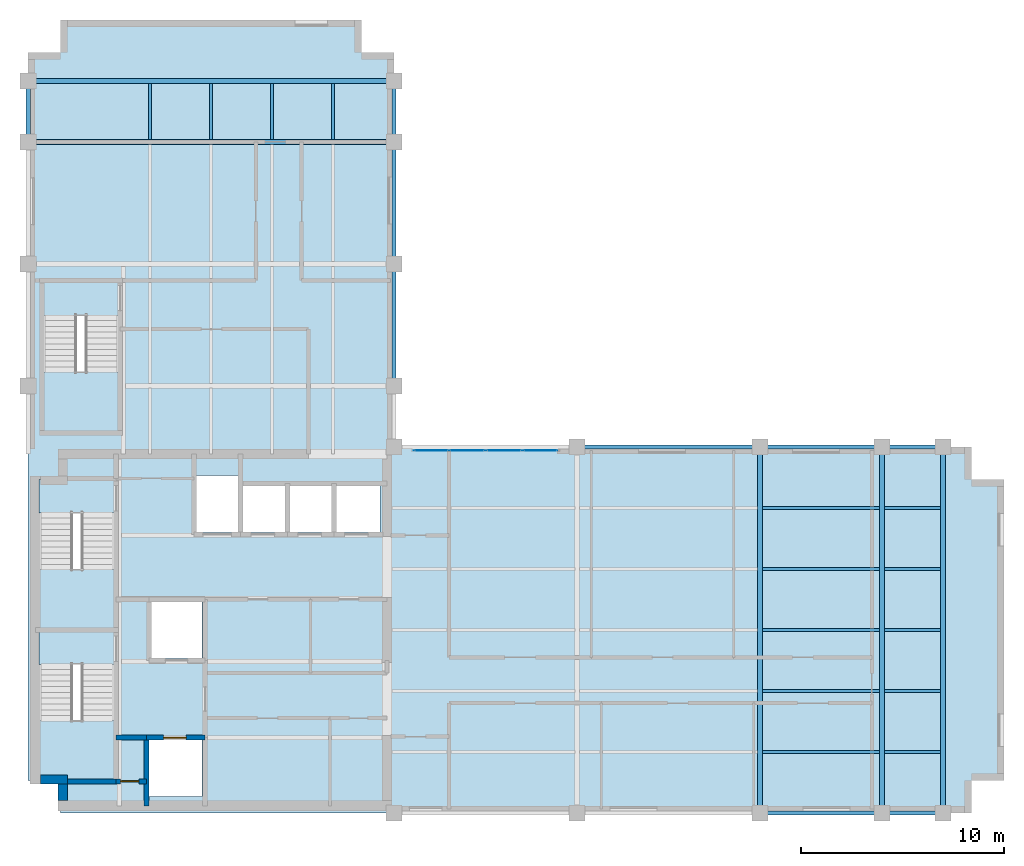
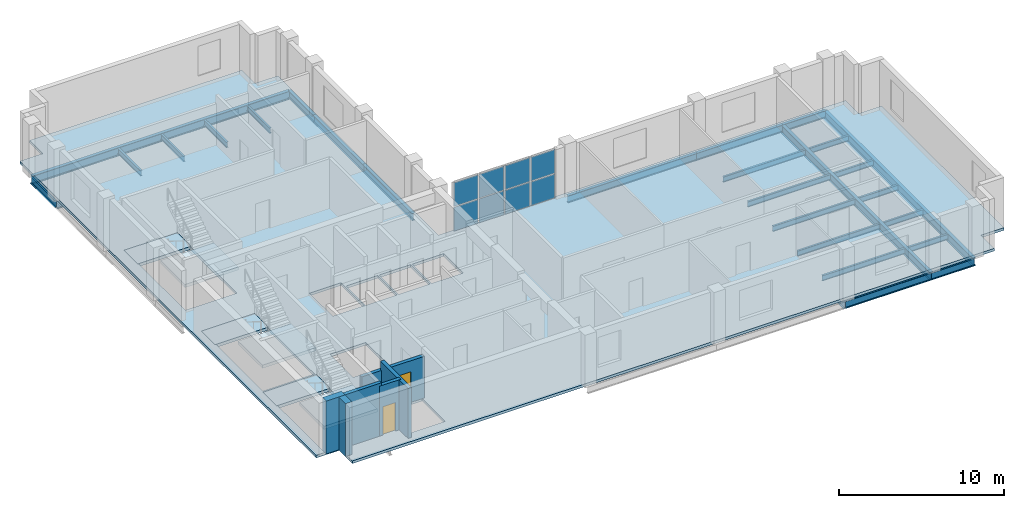
# One storey, part 3 of 7: 28 beams, 8 plates, 7 slabs, 7 walls, 2 doors, 2 openings, 4 elements without a shape of their own.
"""IFC4 building model written with IfcOpenShell, lengths in metres."""

from ifc_helpers import new_model, si_unit, direction, frame, frame_2d, origin, origin_2d, place, context, subcontext, project, spatial, polyline, rectangle, i_section, outline, extrude, material, layer, layer_set, material_profile, profile_set, type_object, element, fill, aggregate, save


model = new_model("IFC4")

# Units and contexts
model_context = context("Model", 3, precision=1e-05, world=origin(), true_north=direction((0.0, 1.0)))
body_context = subcontext(model_context, "Body", "Model", "MODEL_VIEW")
ifc_project = project(units=[si_unit("LENGTHUNIT", "METRE"), si_unit("AREAUNIT", "SQUARE_METRE"), si_unit("VOLUMEUNIT", "CUBIC_METRE"), si_unit("PLANEANGLEUNIT", "RADIAN"), si_unit("MASSUNIT", "GRAM", prefix="KILO")], contexts=[model_context])

# Site, building, storey
site_placement = place(None, origin())
site = spatial("IfcSite", under=ifc_project, at=site_placement, CompositionType="ELEMENT")
building_placement = place(site_placement, origin())
building = spatial("IfcBuilding", under=site, at=building_placement, Name="Mawjdan Bourse Tower", CompositionType="ELEMENT")
storey_placement = place(building_placement, frame((0.0, 0.0, 235.199951171875)))
storey = spatial("IfcBuildingStorey", under=building, at=storey_placement, Name="L57", CompositionType="ELEMENT", Elevation=235.199951171875)

# Beams
ifc_material_1 = material(Name="Structural Steel S355", Category="steel")
ifc_material_profile_1 = material_profile(ifc_material_1, i_section(OverallWidth=0.22998046875, OverallDepth=0.616943359375, WebThickness=0.01318359375, FlangeThickness=0.022216796875, FilletRadius=0.017822265625, at=origin_2d()), Name="W24X94")
ifc_profile_set_1 = profile_set([ifc_material_profile_1], Name="Structural Steel S355")
beam_type_1 = type_object("IfcBeamType", Name="GRD-W24X94", PredefinedType="BEAM", material=ifc_profile_set_1)
for number, where, z_axis, x_axis, name in (
    (1, (42.0, 3.0, -0.508544921875), (0.0, 1.0, 0.0), (-1.0, 0.0, 0.0), "L57 East Wing Clear-Span Girder 003"),
    (2, (48.0, 3.0, -0.508544921875), (0.0, 1.0, 0.0), (-1.0, 0.0, 0.0), "L57 East Wing Clear-Span Girder 004"),
    (3, (51.0, 3.0, -0.508544921875), (0.0, 1.0, 0.0), (-1.0, 0.0, 0.0), "L57 East Wing Clear-Span Girder 005"),
    (4, (6.0, 36.0, -0.508544921875), (1.0, 0.0, 0.0), (0.0, 1.0, 0.0), "L57 North Wing Clear-Span Girder 041"),
    (5, (6.0, 39.0, -0.508544921875), (1.0, 0.0, 0.0), (0.0, 1.0, 0.0), "L57 North Wing Clear-Span Girder 042"),
):
    element("IfcBeam", number, at=place(storey_placement, frame(where, z_axis=z_axis, x_axis=x_axis)), inside=storey, type_object=beam_type_1, Name=name, PredefinedType="BEAM", context=body_context, shape_type="SweptSolid", body=[
        extrude(i_section(OverallWidth=0.22998046875, OverallDepth=0.616943359375, WebThickness=0.01318359375, FlangeThickness=0.022216796875, FilletRadius=0.017822265625, at=origin_2d()), origin(), (0.0, 0.0, 1.0), 18.0),
    ])
ifc_material_profile_2 = material_profile(ifc_material_1, i_section(OverallWidth=0.139892578125, OverallDepth=0.404052734375, WebThickness=0.007080078125, FlangeThickness=0.01123046875, FilletRadius=0.009033203125, at=origin_2d()), Name="W16X31")
ifc_profile_set_2 = profile_set([ifc_material_profile_2], Name="Structural Steel S355")
beam_type_2 = type_object("IfcBeamType", Name="JST-W16X31", PredefinedType="JOIST", material=ifc_profile_set_2)
beam_1_placement = place(storey_placement, frame((42.113037109375, 6.0, -0.40185546875), z_axis=(1.0, 0.0, 0.0), x_axis=(0.0, 1.0, 0.0)))
element("IfcBeam", 6, at=beam_1_placement, inside=storey, type_object=beam_type_2, Name="L57 East Wing Composite Joist 016", PredefinedType="JOIST", context=body_context, shape_type="SweptSolid", body=[
    extrude(i_section(OverallWidth=0.139892578125, OverallDepth=0.404052734375, WebThickness=0.007080078125, FlangeThickness=0.01123046875, FilletRadius=0.009033203125, at=origin_2d()), origin(), (0.0, 0.0, 1.0), 5.77392578125),
])
beam_2_placement = place(storey_placement, frame((48.113037109375, 6.0, -0.40185546875), z_axis=(1.0, 0.0, 0.0), x_axis=(0.0, 1.0, 0.0)))
element("IfcBeam", 7, at=beam_2_placement, inside=storey, type_object=beam_type_2, Name="L57 East Wing Composite Joist 017", PredefinedType="JOIST", context=body_context, shape_type="SweptSolid", body=[
    extrude(i_section(OverallWidth=0.139892578125, OverallDepth=0.404052734375, WebThickness=0.007080078125, FlangeThickness=0.01123046875, FilletRadius=0.009033203125, at=origin_2d()), origin(), (0.0, 0.0, 1.0), 2.77392578125),
])
beam_3_placement = place(storey_placement, frame((42.113037109375, 9.0, -0.40185546875), z_axis=(1.0, 0.0, 0.0), x_axis=(0.0, 1.0, 0.0)))
element("IfcBeam", 8, at=beam_3_placement, inside=storey, type_object=beam_type_2, Name="L57 East Wing Composite Joist 020", PredefinedType="JOIST", context=body_context, shape_type="SweptSolid", body=[
    extrude(i_section(OverallWidth=0.139892578125, OverallDepth=0.404052734375, WebThickness=0.007080078125, FlangeThickness=0.01123046875, FilletRadius=0.009033203125, at=origin_2d()), origin(), (0.0, 0.0, 1.0), 5.77392578125),
])
beam_4_placement = place(storey_placement, frame((48.113037109375, 9.0, -0.40185546875), z_axis=(1.0, 0.0, 0.0), x_axis=(0.0, 1.0, 0.0)))
element("IfcBeam", 9, at=beam_4_placement, inside=storey, type_object=beam_type_2, Name="L57 East Wing Composite Joist 021", PredefinedType="JOIST", context=body_context, shape_type="SweptSolid", body=[
    extrude(i_section(OverallWidth=0.139892578125, OverallDepth=0.404052734375, WebThickness=0.007080078125, FlangeThickness=0.01123046875, FilletRadius=0.009033203125, at=origin_2d()), origin(), (0.0, 0.0, 1.0), 2.77392578125),
])
beam_5_placement = place(storey_placement, frame((42.113037109375, 12.0, -0.40185546875), z_axis=(1.0, 0.0, 0.0), x_axis=(0.0, 1.0, 0.0)))
element("IfcBeam", 10, at=beam_5_placement, inside=storey, type_object=beam_type_2, Name="L57 East Wing Composite Joist 024", PredefinedType="JOIST", context=body_context, shape_type="SweptSolid", body=[
    extrude(i_section(OverallWidth=0.139892578125, OverallDepth=0.404052734375, WebThickness=0.007080078125, FlangeThickness=0.01123046875, FilletRadius=0.009033203125, at=origin_2d()), origin(), (0.0, 0.0, 1.0), 5.77392578125),
])
beam_6_placement = place(storey_placement, frame((48.113037109375, 12.0, -0.40185546875), z_axis=(1.0, 0.0, 0.0), x_axis=(0.0, 1.0, 0.0)))
element("IfcBeam", 11, at=beam_6_placement, inside=storey, type_object=beam_type_2, Name="L57 East Wing Composite Joist 025", PredefinedType="JOIST", context=body_context, shape_type="SweptSolid", body=[
    extrude(i_section(OverallWidth=0.139892578125, OverallDepth=0.404052734375, WebThickness=0.007080078125, FlangeThickness=0.01123046875, FilletRadius=0.009033203125, at=origin_2d()), origin(), (0.0, 0.0, 1.0), 2.77392578125),
])
beam_7_placement = place(storey_placement, frame((42.113037109375, 15.0, -0.40185546875), z_axis=(1.0, 0.0, 0.0), x_axis=(0.0, 1.0, 0.0)))
element("IfcBeam", 12, at=beam_7_placement, inside=storey, type_object=beam_type_2, Name="L57 East Wing Composite Joist 028", PredefinedType="JOIST", context=body_context, shape_type="SweptSolid", body=[
    extrude(i_section(OverallWidth=0.139892578125, OverallDepth=0.404052734375, WebThickness=0.007080078125, FlangeThickness=0.01123046875, FilletRadius=0.009033203125, at=origin_2d()), origin(), (0.0, 0.0, 1.0), 5.77392578125),
])
beam_8_placement = place(storey_placement, frame((48.113037109375, 15.0, -0.40185546875), z_axis=(1.0, 0.0, 0.0), x_axis=(0.0, 1.0, 0.0)))
element("IfcBeam", 13, at=beam_8_placement, inside=storey, type_object=beam_type_2, Name="L57 East Wing Composite Joist 029", PredefinedType="JOIST", context=body_context, shape_type="SweptSolid", body=[
    extrude(i_section(OverallWidth=0.139892578125, OverallDepth=0.404052734375, WebThickness=0.007080078125, FlangeThickness=0.01123046875, FilletRadius=0.009033203125, at=origin_2d()), origin(), (0.0, 0.0, 1.0), 2.77392578125),
])
beam_9_placement = place(storey_placement, frame((42.113037109375, 18.0, -0.40185546875), z_axis=(1.0, 0.0, 0.0), x_axis=(0.0, 1.0, 0.0)))
element("IfcBeam", 14, at=beam_9_placement, inside=storey, type_object=beam_type_2, Name="L57 East Wing Composite Joist 032", PredefinedType="JOIST", context=body_context, shape_type="SweptSolid", body=[
    extrude(i_section(OverallWidth=0.139892578125, OverallDepth=0.404052734375, WebThickness=0.007080078125, FlangeThickness=0.01123046875, FilletRadius=0.009033203125, at=origin_2d()), origin(), (0.0, 0.0, 1.0), 5.77392578125),
])
for number, where, z_axis, x_axis, name in (
    (15, (48.113037109375, 18.0, -0.40185546875), (1.0, 0.0, 0.0), (0.0, 1.0, 0.0), "L57 East Wing Composite Joist 033"),
    (16, (12.0, 36.113037109375, -0.40185546875), (0.0, 1.0, 0.0), (-1.0, 0.0, 0.0), "L57 North Wing Composite Joist 054"),
    (17, (15.0, 36.113037109375, -0.40185546875), (0.0, 1.0, 0.0), (-1.0, 0.0, 0.0), "L57 North Wing Composite Joist 058"),
    (18, (18.0, 36.113037109375, -0.40185546875), (0.0, 1.0, 0.0), (-1.0, 0.0, 0.0), "L57 North Wing Composite Joist 062"),
    (19, (21.0, 36.113037109375, -0.40185546875), (0.0, 1.0, 0.0), (-1.0, 0.0, 0.0), "L57 North Wing Composite Joist 066"),
):
    element("IfcBeam", number, at=place(storey_placement, frame(where, z_axis=z_axis, x_axis=x_axis)), inside=storey, type_object=beam_type_2, Name=name, PredefinedType="JOIST", context=body_context, shape_type="SweptSolid", body=[
        extrude(i_section(OverallWidth=0.139892578125, OverallDepth=0.404052734375, WebThickness=0.007080078125, FlangeThickness=0.01123046875, FilletRadius=0.009033203125, at=origin_2d()), origin(), (0.0, 0.0, 1.0), 2.77392578125),
    ])
ifc_material_profile_3 = material_profile(ifc_material_1, i_section(OverallWidth=0.2099609375, OverallDepth=0.537109375, WebThickness=0.010986328125, FlangeThickness=0.017333984375, FilletRadius=0.013916015625, at=origin_2d()), Name="W21X68")
ifc_profile_set_3 = profile_set([ifc_material_profile_3], Name="Structural Steel S355")
beam_type_3 = type_object("IfcBeamType", Name="SPN-W21X68", PredefinedType="SPANDREL", material=ifc_profile_set_3)
beam_10_placement = place(storey_placement, frame((42.0, 3.0, -0.468505859375), z_axis=(1.0, 0.0, 0.0), x_axis=(0.0, 1.0, 0.0)))
element("IfcBeam", 20, at=beam_10_placement, inside=storey, type_object=beam_type_3, Name="L57 Perimeter Masonry-Shelf Spandrel 008", PredefinedType="SPANDREL", context=body_context, shape_type="SweptSolid", body=[
    extrude(i_section(OverallWidth=0.2099609375, OverallDepth=0.537109375, WebThickness=0.010986328125, FlangeThickness=0.017333984375, FilletRadius=0.013916015625, at=origin_2d()), origin(), (0.0, 0.0, 1.0), 6.0),
])
beam_11_placement = place(storey_placement, frame((48.0, 3.0, -0.468505859375), z_axis=(1.0, 0.0, 0.0), x_axis=(0.0, 1.0, 0.0)))
element("IfcBeam", 21, at=beam_11_placement, inside=storey, type_object=beam_type_3, Name="L57 Perimeter Masonry-Shelf Spandrel 009", PredefinedType="SPANDREL", context=body_context, shape_type="SweptSolid", body=[
    extrude(i_section(OverallWidth=0.2099609375, OverallDepth=0.537109375, WebThickness=0.010986328125, FlangeThickness=0.017333984375, FilletRadius=0.013916015625, at=origin_2d()), origin(), (0.0, 0.0, 1.0), 3.0),
])
beam_12_placement = place(storey_placement, frame((33.0, 21.0, -0.468505859375), z_axis=(1.0, 0.0, 0.0), x_axis=(0.0, 1.0, 0.0)))
element("IfcBeam", 22, at=beam_12_placement, inside=storey, type_object=beam_type_3, Name="L57 Perimeter Masonry-Shelf Spandrel 011", PredefinedType="SPANDREL", context=body_context, shape_type="SweptSolid", body=[
    extrude(i_section(OverallWidth=0.2099609375, OverallDepth=0.537109375, WebThickness=0.010986328125, FlangeThickness=0.017333984375, FilletRadius=0.013916015625, at=origin_2d()), origin(), (0.0, 0.0, 1.0), 9.0),
])
beam_13_placement = place(storey_placement, frame((42.0, 21.0, -0.468505859375), z_axis=(1.0, 0.0, 0.0), x_axis=(0.0, 1.0, 0.0)))
element("IfcBeam", 23, at=beam_13_placement, inside=storey, type_object=beam_type_3, Name="L57 Perimeter Masonry-Shelf Spandrel 012", PredefinedType="SPANDREL", context=body_context, shape_type="SweptSolid", body=[
    extrude(i_section(OverallWidth=0.2099609375, OverallDepth=0.537109375, WebThickness=0.010986328125, FlangeThickness=0.017333984375, FilletRadius=0.013916015625, at=origin_2d()), origin(), (0.0, 0.0, 1.0), 6.0),
])
for number, where, z_axis, x_axis, name in (
    (24, (48.0, 21.0, -0.468505859375), (1.0, 0.0, 0.0), (0.0, 1.0, 0.0), "L57 Perimeter Masonry-Shelf Spandrel 013"),
    (25, (6.0, 36.0, -0.468505859375), (0.0, 1.0, 0.0), (-1.0, 0.0, 0.0), "L57 North Wing Spandrel 046"),
):
    element("IfcBeam", number, at=place(storey_placement, frame(where, z_axis=z_axis, x_axis=x_axis)), inside=storey, type_object=beam_type_3, Name=name, PredefinedType="SPANDREL", context=body_context, shape_type="SweptSolid", body=[
        extrude(i_section(OverallWidth=0.2099609375, OverallDepth=0.537109375, WebThickness=0.010986328125, FlangeThickness=0.017333984375, FilletRadius=0.013916015625, at=origin_2d()), origin(), (0.0, 0.0, 1.0), 3.0),
    ])
for number, where, z_axis, x_axis, name in (
    (26, (24.0, 24.0, -0.468505859375), (0.0, 1.0, 0.0), (-1.0, 0.0, 0.0), "L57 North Wing Spandrel 048"),
    (27, (24.0, 30.0, -0.468505859375), (0.0, 1.0, 0.0), (-1.0, 0.0, 0.0), "L57 North Wing Spandrel 049"),
):
    element("IfcBeam", number, at=place(storey_placement, frame(where, z_axis=z_axis, x_axis=x_axis)), inside=storey, type_object=beam_type_3, Name=name, PredefinedType="SPANDREL", context=body_context, shape_type="SweptSolid", body=[
        extrude(i_section(OverallWidth=0.2099609375, OverallDepth=0.537109375, WebThickness=0.010986328125, FlangeThickness=0.017333984375, FilletRadius=0.013916015625, at=origin_2d()), origin(), (0.0, 0.0, 1.0), 6.0),
    ])
beam_14_placement = place(storey_placement, frame((24.0, 36.0, -0.468505859375), z_axis=(0.0, 1.0, 0.0), x_axis=(-1.0, 0.0, 0.0)))
element("IfcBeam", 28, at=beam_14_placement, inside=storey, type_object=beam_type_3, Name="L57 North Wing Spandrel 050", PredefinedType="SPANDREL", context=body_context, shape_type="SweptSolid", body=[
    extrude(i_section(OverallWidth=0.2099609375, OverallDepth=0.537109375, WebThickness=0.010986328125, FlangeThickness=0.017333984375, FilletRadius=0.013916015625, at=origin_2d()), origin(), (0.0, 0.0, 1.0), 3.0),
])

# Curtain wall, plates
ifc_material_2 = material(Name="Thermally Broken Aluminium and Solar Glass", Category="aluminium")
ifc_layer_1 = layer(ifc_material_2, 0.219970703125)
ifc_layer_set_1 = layer_set([ifc_layer_1], Name="Thermally Broken Aluminium and Solar Glass")
curtain_wall_type = type_object("IfcCurtainWallType", Name="CW-ATR", PredefinedType="USERDEFINED", material=ifc_layer_set_1)
curtain_wall_placement = place(storey_placement, origin())
curtain_wall = element("IfcCurtainWall", 29, at=curtain_wall_placement, inside=storey, type_object=curtain_wall_type, Name="L57 Northeast Atrium Court Curtain Wall", ObjectType="ATRIUM GLAZED CURTAIN WALL", PredefinedType="USERDEFINED")
ifc_material_3 = material(Name="Low-SHGC Clear Atrium Glass", Category="glass")
ifc_layer_2 = layer(ifc_material_3, 0.035888671875)
ifc_layer_set_2 = layer_set([ifc_layer_2], Name="Low-SHGC Clear Atrium Glass")
plate_type = type_object("IfcPlateType", Name="PNL-CW-ATR", PredefinedType="CURTAIN_PANEL", material=ifc_layer_set_2)
plate_1_placement = place(storey_placement, frame((31.1826171875, 20.830078125, 0.06005859375), z_axis=(0.0, 0.0, 1.0), x_axis=(-1.0, 0.0, 0.0)))
plate_1 = element("IfcPlate", 30, at=plate_1_placement, type_object=plate_type, Name="CW-ATR-L57-ATR-NE panel 1.1", PredefinedType="CURTAIN_PANEL", context=body_context, shape_type="SweptSolid", body=[
    extrude(rectangle(XDim=1.695068359375, YDim=0.035888671875, at=origin_2d()), origin(), (0.0, 0.0, 1.0), 1.760009765625),
])
plate_2_placement = place(storey_placement, frame((31.1826171875, 20.830078125, 1.8798828125), z_axis=(0.0, 0.0, 1.0), x_axis=(-1.0, 0.0, 0.0)))
plate_2 = element("IfcPlate", 31, at=plate_2_placement, type_object=plate_type, Name="CW-ATR-L57-ATR-NE panel 1.2", PredefinedType="CURTAIN_PANEL", context=body_context, shape_type="SweptSolid", body=[
    extrude(rectangle(XDim=1.695068359375, YDim=0.035888671875, at=origin_2d()), origin(), (0.0, 0.0, 1.0), 1.760009765625),
])
plate_3_placement = place(storey_placement, frame((29.39990234375, 20.830078125, 0.06005859375), z_axis=(0.0, 0.0, 1.0), x_axis=(-1.0, 0.0, 0.0)))
plate_3 = element("IfcPlate", 32, at=plate_3_placement, type_object=plate_type, Name="CW-ATR-L57-ATR-NE panel 2.1", PredefinedType="CURTAIN_PANEL", context=body_context, shape_type="SweptSolid", body=[
    extrude(rectangle(XDim=1.72998046875, YDim=0.035888671875, at=origin_2d()), origin(), (0.0, 0.0, 1.0), 1.760009765625),
])
plate_4_placement = place(storey_placement, frame((29.39990234375, 20.830078125, 1.8798828125), z_axis=(0.0, 0.0, 1.0), x_axis=(-1.0, 0.0, 0.0)))
plate_4 = element("IfcPlate", 33, at=plate_4_placement, type_object=plate_type, Name="CW-ATR-L57-ATR-NE panel 2.2", PredefinedType="CURTAIN_PANEL", context=body_context, shape_type="SweptSolid", body=[
    extrude(rectangle(XDim=1.72998046875, YDim=0.035888671875, at=origin_2d()), origin(), (0.0, 0.0, 1.0), 1.760009765625),
])
plate_5_placement = place(storey_placement, frame((27.60009765625, 20.830078125, 0.06005859375), z_axis=(0.0, 0.0, 1.0), x_axis=(-1.0, 0.0, 0.0)))
plate_5 = element("IfcPlate", 34, at=plate_5_placement, type_object=plate_type, Name="CW-ATR-L57-ATR-NE panel 3.1", PredefinedType="CURTAIN_PANEL", context=body_context, shape_type="SweptSolid", body=[
    extrude(rectangle(XDim=1.72998046875, YDim=0.035888671875, at=origin_2d()), origin(), (0.0, 0.0, 1.0), 1.760009765625),
])
plate_6_placement = place(storey_placement, frame((27.60009765625, 20.830078125, 1.8798828125), z_axis=(0.0, 0.0, 1.0), x_axis=(-1.0, 0.0, 0.0)))
plate_6 = element("IfcPlate", 35, at=plate_6_placement, type_object=plate_type, Name="CW-ATR-L57-ATR-NE panel 3.2", PredefinedType="CURTAIN_PANEL", context=body_context, shape_type="SweptSolid", body=[
    extrude(rectangle(XDim=1.72998046875, YDim=0.035888671875, at=origin_2d()), origin(), (0.0, 0.0, 1.0), 1.760009765625),
])
plate_7_placement = place(storey_placement, frame((25.8173828125, 20.830078125, 0.06005859375), z_axis=(0.0, 0.0, 1.0), x_axis=(-1.0, 0.0, 0.0)))
plate_7 = element("IfcPlate", 36, at=plate_7_placement, type_object=plate_type, Name="CW-ATR-L57-ATR-NE panel 4.1", PredefinedType="CURTAIN_PANEL", context=body_context, shape_type="SweptSolid", body=[
    extrude(rectangle(XDim=1.695068359375, YDim=0.035888671875, at=origin_2d()), origin(), (0.0, 0.0, 1.0), 1.760009765625),
])
plate_8_placement = place(storey_placement, frame((25.8173828125, 20.830078125, 1.8798828125), z_axis=(0.0, 0.0, 1.0), x_axis=(-1.0, 0.0, 0.0)))
plate_8 = element("IfcPlate", 37, at=plate_8_placement, type_object=plate_type, Name="CW-ATR-L57-ATR-NE panel 4.2", PredefinedType="CURTAIN_PANEL", context=body_context, shape_type="SweptSolid", body=[
    extrude(rectangle(XDim=1.695068359375, YDim=0.035888671875, at=origin_2d()), origin(), (0.0, 0.0, 1.0), 1.760009765625),
])
aggregate(curtain_wall, [plate_1, plate_2, plate_3, plate_4, plate_5, plate_6, plate_7, plate_8])

# Stair, slabs
ifc_material_4 = material(Name="Concrete C50/60", Category="concrete")
stair_type = type_object("IfcStairType", Name="STR-CORE-1500", PredefinedType="HALF_TURN_STAIR", material=ifc_material_4)
stair_1_placement = place(storey_placement, origin())
stair_1 = element("IfcStair", 38, at=stair_1_placement, inside=storey, type_object=stair_type, Name="L57 Exit Stair 1 (Core South-West)", PredefinedType="HALF_TURN_STAIR")
ifc_layer_3 = layer(ifc_material_4, 0.22998046875)
ifc_layer_set_3 = layer_set([ifc_layer_3], Name="Concrete C50/60")
slab_type_1 = type_object("IfcSlabType", Name="SL-LND-230", PredefinedType="LANDING", material=ifc_layer_set_3)
slab_1_placement = place(storey_placement, frame((0.0, 0.0, -0.22998046875)))
slab_1 = element("IfcSlab", 39, at=slab_1_placement, type_object=slab_type_1, Name="ST1-L57 landing 1", PredefinedType="LANDING", context=body_context, shape_type="SweptSolid", body=[
    extrude(outline(polyline([(6.5400390625, 10.31005859375), (10.260009765625, 10.31005859375), (10.260009765625, 11.969970703125), (6.5400390625, 11.969970703125), (6.5400390625, 10.31005859375)])), origin(), (0.0, 0.0, 1.0), 0.22998046875),
])
slab_2_placement = place(storey_placement, frame((0.0, 0.0, 1.719970703125)))
slab_2 = element("IfcSlab", 40, at=slab_2_placement, type_object=slab_type_1, Name="ST1-L57 landing 2", PredefinedType="LANDING", context=body_context, shape_type="SweptSolid", body=[
    extrude(outline(polyline([(6.5400390625, 4.590087890625), (10.260009765625, 4.590087890625), (10.260009765625, 7.5400390625), (6.5400390625, 7.5400390625), (6.5400390625, 4.590087890625)])), origin(), (0.0, 0.0, 1.0), 0.22998046875),
])
aggregate(stair_1, [slab_1, slab_2])

stair_2_placement = place(storey_placement, origin())
stair_2 = element("IfcStair", 41, at=stair_2_placement, inside=storey, type_object=stair_type, Name="L57 Exit Stair 2 (Core North-West)", PredefinedType="HALF_TURN_STAIR")
slab_3_placement = place(storey_placement, frame((0.0, 0.0, -0.22998046875)))
slab_3 = element("IfcSlab", 42, at=slab_3_placement, type_object=slab_type_1, Name="ST2-L57 landing 1", PredefinedType="LANDING", context=body_context, shape_type="SweptSolid", body=[
    extrude(outline(polyline([(6.5400390625, 17.75), (10.260009765625, 17.75), (10.260009765625, 19.409912109375), (6.5400390625, 19.409912109375), (6.5400390625, 17.75)])), origin(), (0.0, 0.0, 1.0), 0.22998046875),
])
slab_4_placement = place(storey_placement, frame((0.0, 0.0, 1.719970703125)))
slab_4 = element("IfcSlab", 43, at=slab_4_placement, type_object=slab_type_1, Name="ST2-L57 landing 2", PredefinedType="LANDING", context=body_context, shape_type="SweptSolid", body=[
    extrude(outline(polyline([(6.5400390625, 12.030029296875), (10.260009765625, 12.030029296875), (10.260009765625, 14.97998046875), (6.5400390625, 14.97998046875), (6.5400390625, 12.030029296875)])), origin(), (0.0, 0.0, 1.0), 0.22998046875),
])
aggregate(stair_2, [slab_3, slab_4])

stair_3_placement = place(storey_placement, origin())
stair_3 = element("IfcStair", 44, at=stair_3_placement, inside=storey, type_object=stair_type, Name="L57 Exit Stair 3 (North Wing)", PredefinedType="HALF_TURN_STAIR")
slab_5_placement = place(storey_placement, frame((0.0, 0.0, -0.22998046875)))
slab_5 = element("IfcSlab", 45, at=slab_5_placement, type_object=slab_type_1, Name="ST3-L57 landing 1", PredefinedType="LANDING", context=body_context, shape_type="SweptSolid", body=[
    extrude(outline(polyline([(6.739990234375, 27.4599609375), (10.4599609375, 27.4599609375), (10.4599609375, 29.1201171875), (6.739990234375, 29.1201171875), (6.739990234375, 27.4599609375)])), origin(), (0.0, 0.0, 1.0), 0.22998046875),
])
slab_6_placement = place(storey_placement, frame((0.0, 0.0, 1.719970703125)))
slab_6 = element("IfcSlab", 46, at=slab_6_placement, type_object=slab_type_1, Name="ST3-L57 landing 2", PredefinedType="LANDING", context=body_context, shape_type="SweptSolid", body=[
    extrude(outline(polyline([(6.739990234375, 21.739990234375), (10.4599609375, 21.739990234375), (10.4599609375, 24.68994140625), (6.739990234375, 24.68994140625), (6.739990234375, 21.739990234375)])), origin(), (0.0, 0.0, 1.0), 0.22998046875),
])
aggregate(stair_3, [slab_5, slab_6])

# Slab
ifc_layer_4 = layer(ifc_material_4, 0.199951171875)
ifc_layer_set_4 = layer_set([ifc_layer_4], Name="Concrete C50/60")
slab_type_2 = type_object("IfcSlabType", Name="SL-OFC-200", PredefinedType="FLOOR", material=ifc_layer_set_4)
slab_7_placement = place(storey_placement, frame((0.0, 0.0, -0.199951171875)))
element("IfcSlab", 47, at=slab_7_placement, inside=storey, type_object=slab_type_2, Name="L57 Structural Floor Slab 1", PredefinedType="FLOOR", context=body_context, shape_type="SweptSolid", body=[
    extrude(outline(polyline([(7.60009765625, 3.0), (52.39990234375, 3.0), (52.39990234375, 4.60009765625), (54.0, 4.60009765625), (54.0, 19.39990234375), (52.39990234375, 19.39990234375), (52.39990234375, 21.0), (24.0, 21.0), (24.0, 40.39990234375), (22.39990234375, 40.39990234375), (22.39990234375, 42.0), (7.60009765625, 42.0), (7.60009765625, 40.39990234375), (6.0, 40.39990234375), (6.0, 4.60009765625), (7.60009765625, 4.60009765625), (7.60009765625, 3.0)]), holes=[polyline([(6.5400390625, 11.969970703125), (10.260009765625, 11.969970703125), (10.260009765625, 10.31005859375), (10.199951171875, 10.31005859375), (10.199951171875, 4.64990234375), (6.60009765625, 4.64990234375), (6.60009765625, 10.31005859375), (6.5400390625, 10.31005859375), (6.5400390625, 11.969970703125)]), polyline([(6.60009765625, 12.090087890625), (6.60009765625, 17.75), (6.5400390625, 17.75), (6.5400390625, 19.409912109375), (10.260009765625, 19.409912109375), (10.260009765625, 17.75), (10.199951171875, 17.75), (10.199951171875, 12.090087890625), (6.60009765625, 12.090087890625)]), polyline([(10.4599609375, 29.1201171875), (10.4599609375, 27.4599609375), (10.39990234375, 27.4599609375), (10.39990234375, 21.800048828125), (6.800048828125, 21.800048828125), (6.800048828125, 27.4599609375), (6.739990234375, 27.4599609375), (6.739990234375, 29.1201171875), (10.4599609375, 29.1201171875)]), polyline([(14.550048828125, 3.800048828125), (11.949951171875, 3.800048828125), (11.949951171875, 6.60009765625), (14.550048828125, 6.60009765625), (14.550048828125, 3.800048828125)]), polyline([(12.050048828125, 10.60009765625), (12.050048828125, 13.39990234375), (14.550048828125, 13.39990234375), (14.550048828125, 10.60009765625), (12.050048828125, 10.60009765625)]), polyline([(16.5, 16.800048828125), (16.5, 19.14990234375), (18.699951171875, 19.14990234375), (18.699951171875, 16.800048828125), (16.5, 16.800048828125)]), polyline([(21.0, 16.800048828125), (18.800048828125, 16.800048828125), (18.800048828125, 19.14990234375), (21.0, 19.14990234375), (21.0, 16.800048828125)]), polyline([(21.10009765625, 16.800048828125), (21.10009765625, 19.14990234375), (23.300048828125, 19.14990234375), (23.300048828125, 16.800048828125), (21.10009765625, 16.800048828125)]), polyline([(14.199951171875, 16.800048828125), (14.199951171875, 19.60009765625), (16.39990234375, 19.60009765625), (16.39990234375, 16.800048828125), (14.199951171875, 16.800048828125)])]), origin(), (0.0, 0.0, 1.0), 0.199951171875),
])

# Walls
ifc_material_5 = material(Name="Concrete C60/75", Category="concrete")
ifc_layer_5 = layer(ifc_material_5, 0.449951171875)
ifc_layer_set_5 = layer_set([ifc_layer_5], Name="Concrete C60/75")
wall_type_1 = type_object("IfcWallType", Name="WL-CORE-450", PredefinedType="SHEAR", material=ifc_layer_set_5)
wall_1_placement = place(storey_placement, frame((6.60009765625, 4.64990234375, 0.0), z_axis=(0.0, 0.0, 1.0), x_axis=(1.0, 0.0, 0.0)))
element("IfcWall", 48, at=wall_1_placement, inside=storey, type_object=wall_type_1, Name="L57 Rear Core Shear Wall SW-X", PredefinedType="SHEAR", context=body_context, shape_type="SweptSolid", body=[
    extrude(rectangle(XDim=1.324951171875, YDim=0.449951171875, at=frame_2d((0.66259765625, 0.0))), origin(), (0.0, 0.0, 1.0), 3.900146484375),
])
wall_2_placement = place(storey_placement, frame((7.699951171875, 3.60009765625, 0.0), z_axis=(0.0, 0.0, 1.0), x_axis=(0.0, 1.0, 0.0)))
element("IfcWall", 49, at=wall_2_placement, inside=storey, type_object=wall_type_1, Name="L57 Rear Core Shear Wall SW-Y", PredefinedType="SHEAR", context=body_context, shape_type="SweptSolid", body=[
    extrude(rectangle(XDim=0.824951171875, YDim=0.449951171875, at=frame_2d((0.41259765625, 0.0))), origin(), (0.0, 0.0, 1.0), 3.900146484375),
])

# Wall, opening, door
ifc_layer_6 = layer(ifc_material_4, 0.25)
ifc_layer_set_6 = layer_set([ifc_layer_6], Name="Concrete C50/60")
wall_type_2 = type_object("IfcWallType", Name="WL-SHFT-250", PredefinedType="PARTITIONING", material=ifc_layer_set_6)
wall_3_placement = place(storey_placement, frame((10.330078125, 4.550048828125, 0.0), z_axis=(0.0, 0.0, 1.0), x_axis=(1.0, 0.0, 0.0)))
wall_3 = element("IfcWall", 50, at=wall_3_placement, inside=storey, type_object=wall_type_2, Name="L57 SW Riser North Wall", PredefinedType="PARTITIONING", context=body_context, shape_type="SweptSolid", body=[
    extrude(rectangle(XDim=1.489990234375, YDim=0.25, at=frame_2d((0.7451171875, 0.0))), origin(), (0.0, 0.0, 1.0), 3.68994140625),
])
opening_1_placement = place(wall_3_placement, frame((0.219970703125, 0.0, 0.0)))
opening_1 = element("IfcOpeningElement", 51, at=opening_1_placement, cuts=wall_3, Name="Opening RD-L57-03", PredefinedType="OPENING", context=body_context, shape_type="SweptSolid", body=[
    extrude(rectangle(XDim=0.89990234375, YDim=2.10009765625, at=frame_2d((0.449951171875, 1.050048828125))), frame((0.0, 0.135009765625, 0.0), z_axis=(0.0, -1.0, 0.0), x_axis=(1.0, 0.0, 0.0)), (0.0, 0.0, 1.0), 0.27001953125),
])
ifc_material_6 = material(Name="Fire-Rated Steel Access Leaf", Category="steel")
door_type_1 = type_object("IfcDoorType", Name="FD-RSR-0900", OperationType="NOTDEFINED", PredefinedType="TRAPDOOR", material=ifc_material_6)
door_1_placement = place(opening_1_placement, origin())
door_1 = element("IfcDoor", 52, at=door_1_placement, inside=storey, type_object=door_type_1, Name="L57 Electrical Riser Access Door RD-L57-03", OperationType="SINGLE_SWING_RIGHT", OverallHeight=2.10009765625, OverallWidth=0.89990234375, PredefinedType="TRAPDOOR", context=body_context, shape_type="SweptSolid", body=[
    extrude(rectangle(XDim=0.89990234375, YDim=2.10009765625, at=frame_2d((0.449951171875, 1.050048828125))), frame((0.0, 0.02490234375, 0.0), z_axis=(0.0, -1.0, 0.0), x_axis=(1.0, 0.0, 0.0)), (0.0, 0.0, 1.0), 0.050048828125),
])
fill(opening_1, door_1)

# Wall
wall_4_placement = place(storey_placement, frame((11.820068359375, 3.35009765625, 0.0), z_axis=(0.0, 0.0, 1.0), x_axis=(0.0, 1.0, 0.0)))
element("IfcWall", 53, at=wall_4_placement, inside=storey, type_object=wall_type_2, Name="L57 SW Riser & FFL01 West Wall", PredefinedType="PARTITIONING", context=body_context, shape_type="SweptSolid", body=[
    extrude(rectangle(XDim=3.349853515625, YDim=0.25, at=frame_2d((1.6748046875, 0.0))), origin(), (0.0, 0.0, 1.0), 3.68994140625),
])

# Wall, opening, door
wall_5_placement = place(storey_placement, frame((11.820068359375, 6.699951171875, 0.0), z_axis=(0.0, 0.0, 1.0), x_axis=(1.0, 0.0, 0.0)))
wall_5 = element("IfcWall", 54, at=wall_5_placement, inside=storey, type_object=wall_type_2, Name="L57 FFL-01 Front Shaft Wall", PredefinedType="PARTITIONING", context=body_context, shape_type="SweptSolid", body=[
    extrude(rectangle(XDim=2.8798828125, YDim=0.25, at=frame_2d((1.43994140625, 0.0))), origin(), (0.0, 0.0, 1.0), 3.072998046875),
])
opening_2_placement = place(wall_5_placement, frame((0.85009765625, 0.0, 0.0)))
opening_2 = element("IfcOpeningElement", 55, at=opening_2_placement, cuts=wall_5, Name="Opening LD-L57-05", PredefinedType="OPENING", context=body_context, shape_type="SweptSolid", body=[
    extrude(rectangle(XDim=1.10009765625, YDim=2.25, at=frame_2d((0.550048828125, 1.125))), frame((0.0, 0.135009765625, 0.0), z_axis=(0.0, -1.0, 0.0), x_axis=(1.0, 0.0, 0.0)), (0.0, 0.0, 1.0), 0.27001953125),
])
ifc_material_7 = material(Name="Brushed Stainless Steel", Category="steel")
door_type_2 = type_object("IfcDoorType", Name="LD-FFL-1100", OperationType="DOUBLE_DOOR_SLIDING", PredefinedType="DOOR", material=ifc_material_7)
door_2_placement = place(opening_2_placement, origin())
door_2 = element("IfcDoor", 56, at=door_2_placement, inside=storey, type_object=door_type_2, Name="L57 Firefighting Lift FFL-01 Landing Door LD-L57-05", OperationType="DOUBLE_DOOR_SLIDING", OverallHeight=2.25, OverallWidth=1.10009765625, PredefinedType="DOOR", context=body_context, shape_type="SweptSolid", body=[
    extrude(rectangle(XDim=1.10009765625, YDim=2.25, at=frame_2d((0.550048828125, 1.125))), frame((0.0, 0.02490234375, 0.0), z_axis=(0.0, -1.0, 0.0), x_axis=(1.0, 0.0, 0.0)), (0.0, 0.0, 1.0), 0.050048828125),
])
fill(opening_2, door_2)

# Walls
wall_6_placement = place(storey_placement, frame((10.330078125, 6.699951171875, 0.0), z_axis=(0.0, 0.0, 1.0), x_axis=(1.0, 0.0, 0.0)))
element("IfcWall", 57, at=wall_6_placement, inside=storey, type_object=wall_type_2, Name="L57 Firefighting Lobby South Closure Wall", PredefinedType="PARTITIONING", context=body_context, shape_type="SweptSolid", body=[
    extrude(rectangle(XDim=1.489990234375, YDim=0.25, at=frame_2d((0.7451171875, 0.0))), origin(), (0.0, 0.0, 1.0), 3.072998046875),
])
ifc_layer_7 = layer(ifc_material_4, 0.25)
ifc_layer_set_7 = layer_set([ifc_layer_7], Name="Concrete C50/60")
wall_type_3 = type_object("IfcWallType", Name="WL-STRW-250", PredefinedType="SHEAR", material=ifc_layer_set_7)
wall_7_placement = place(storey_placement, frame((7.699951171875, 4.550048828125, 0.0), z_axis=(0.0, 0.0, 1.0), x_axis=(1.0, 0.0, 0.0)))
element("IfcWall", 58, at=wall_7_placement, inside=storey, type_object=wall_type_3, Name="L57 Stairwell ST1 South Shaft Wall", PredefinedType="SHEAR", context=body_context, shape_type="SweptSolid", body=[
    extrude(rectangle(XDim=2.755126953125, YDim=0.25, at=frame_2d((1.37744140625, 0.0))), origin(), (0.0, 0.0, 1.0), 3.900146484375),
])

save(model, "model.ifc")
